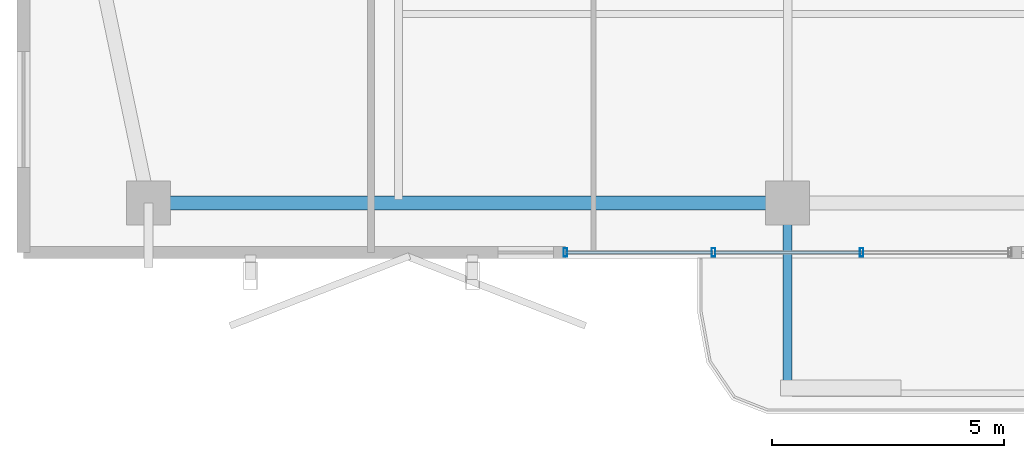
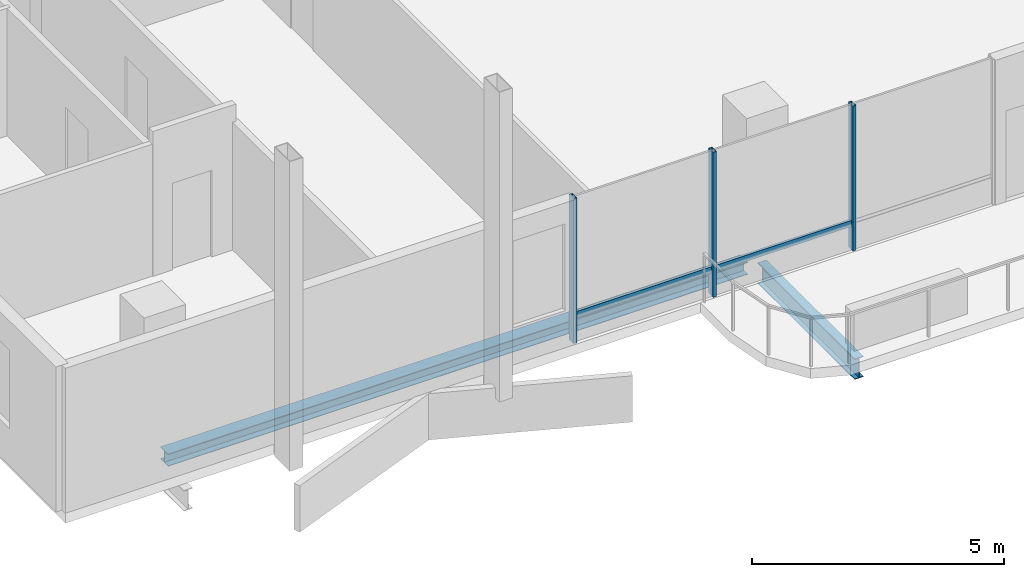
# One storey, part 3 of 20: 5 members, 2 beams, 1 element without a shape of its own.
"""IFC4 building model written with IfcOpenShell, lengths in metres."""

import ifcopenshell
import ifcopenshell.guid

model = None  # the IFC model being written
_history = None  # IfcOwnerHistory: only IFC2X3 demands one
_inside = {}  # id of a spatial element -> (the spatial element, [elements in it])
_under = {}  # id of a project, library or spatial element -> (it, [spatial elements below it])
_declared = {}  # id of a project -> (the project, [libraries it declares])
_typed = {}  # id of a type object -> (the type object, [elements of that type])
_made_of = {}  # id of a material, layer set ... -> (it, [elements and type objects made of it])


def new_model(schema):
    """Start an empty IFC model of exactly this schema.

    Asked for "IFC4X3", IfcOpenShell would pick the latest addendum, in which some entities
    have other attributes; the version numbers below select the first issue.
    IFC2X3 requires an IfcOwnerHistory on every rooted entity: one is made here for all.
    """
    global model, _history
    if schema == "IFC4X3":
        model = ifcopenshell.file(schema_version=(4, 3, 0, 0))
    else:
        model = ifcopenshell.file(schema=schema)
    _inside.clear()
    _under.clear()
    _declared.clear()
    _typed.clear()
    _made_of.clear()
    _history = None
    if model.schema == "IFC2X3":
        org = make("IfcOrganization", Name="unknown")
        user = make(
            "IfcPersonAndOrganization",
            ThePerson=make("IfcPerson", FamilyName="unknown"),
            TheOrganization=org,
        )
        app = make(
            "IfcApplication",
            ApplicationDeveloper=org,
            Version="unknown",
            ApplicationFullName="unknown",
            ApplicationIdentifier="unknown",
        )
        _history = make(
            "IfcOwnerHistory",
            OwningUser=user,
            OwningApplication=app,
            ChangeAction="ADDED",
            CreationDate=0,
        )
    return model


def make(cls, **values):
    """One entity of the class cls with the attributes given. An attribute that is None is left unset."""
    return model.create_entity(
        cls, **{name: value for name, value in values.items() if value is not None}
    )


def rooted(cls, **values):
    """An entity with a GlobalId (a new one), such as an element, a storey or a relation."""
    return make(cls, GlobalId=ifcopenshell.guid.new(), OwnerHistory=_history, **values)


def si_unit(unit_type, name, prefix=None):
    """IfcSIUnit, for example si_unit("LENGTHUNIT", "METRE", prefix="MILLI")."""
    return make("IfcSIUnit", UnitType=unit_type, Prefix=prefix, Name=name)


def assignment(units):
    """IfcUnitAssignment: the units of a project."""
    return None if units is None else make("IfcUnitAssignment", Units=units)


def point(xyz):
    """IfcCartesianPoint."""
    return None if xyz is None else make("IfcCartesianPoint", Coordinates=xyz)


def direction(xyz):
    """IfcDirection."""
    return None if xyz is None else make("IfcDirection", DirectionRatios=xyz)


def frame(location, z_axis=None, x_axis=None):
    """IfcAxis2Placement3D, a coordinate frame: its origin and axes. An axis left out is left unset."""
    return make(
        "IfcAxis2Placement3D",
        Location=point(location),
        Axis=direction(z_axis),
        RefDirection=direction(x_axis),
    )


def frame_2d(location, x_axis=None):
    """IfcAxis2Placement2D, a coordinate frame in the plane: its origin and x axis."""
    return make(
        "IfcAxis2Placement2D", Location=point(location), RefDirection=direction(x_axis)
    )


def origin():
    """The frame at (0, 0, 0) with its axes left unset."""
    return frame((0.0, 0.0, 0.0))


def origin_2d():
    """The frame at (0, 0) in the plane with its x axis left unset."""
    return frame_2d((0.0, 0.0))


def place(relative_to, where):
    """IfcLocalPlacement: puts the frame where relative to a parent placement (None: the world)."""
    return make(
        "IfcLocalPlacement", PlacementRelTo=relative_to, RelativePlacement=where
    )


def context(
    kind, dimensions, precision=None, world=None, true_north=None, identifier=None
):
    """IfcGeometricRepresentationContext, for example the 3D "Model" context."""
    return make(
        "IfcGeometricRepresentationContext",
        ContextIdentifier=identifier,
        ContextType=kind,
        CoordinateSpaceDimension=dimensions,
        Precision=precision,
        WorldCoordinateSystem=world,
        TrueNorth=true_north,
    )


def subcontext(parent, identifier, kind, view, scale=None):
    """IfcGeometricRepresentationSubContext, for example "Body" below "Model"."""
    return make(
        "IfcGeometricRepresentationSubContext",
        ContextIdentifier=identifier,
        ContextType=kind,
        ParentContext=parent,
        TargetScale=scale,
        TargetView=view,
    )


def project(units=None, contexts=None):
    """IfcProject with its units and contexts."""
    return rooted(
        "IfcProject",
        Name="project",
        RepresentationContexts=contexts,
        UnitsInContext=assignment(units),
    )


def spatial(cls, under=None, at=None, **own):
    """A site, building, storey or space (cls), placed at a placement, below another one or the project."""
    s = rooted(cls, ObjectPlacement=at, **own)
    if under is not None:
        _under.setdefault(under.id(), (under, []))[1].append(s)
    return s


def profile(cls, at=None, kind="AREA", **sizes):
    """A parametric profile (cls). Its sizes go by their IFC names, for example OverallWidth=200.0."""
    return make(cls, ProfileType=kind, Position=at, **sizes)


def hollow_rectangle(**sizes):
    """IfcRectangleHollowProfileDef."""
    return profile("IfcRectangleHollowProfileDef", **sizes)


def i_section(**sizes):
    """IfcIShapeProfileDef."""
    return profile("IfcIShapeProfileDef", **sizes)


def extrude(swept, where, along, depth):
    """IfcExtrudedAreaSolid: the profile swept, set in the frame where, extruded along a direction by depth."""
    return make(
        "IfcExtrudedAreaSolid",
        SweptArea=swept,
        Position=where,
        ExtrudedDirection=direction(along),
        Depth=depth,
    )


def shape(context_of_items, identifier, shape_type, items):
    """IfcShapeRepresentation: the items that make up one representation, for example the "Body"."""
    return make(
        "IfcShapeRepresentation",
        ContextOfItems=context_of_items,
        RepresentationIdentifier=identifier,
        RepresentationType=shape_type,
        Items=items,
    )


def material(Name=None, Category=None):
    """IfcMaterial."""
    return make("IfcMaterial", Name=Name, Category=Category)


def layer(
    of_material, thickness, ventilated=None, Name=None, Category=None, Priority=None
):
    """IfcMaterialLayer: one layer of a wall or slab, of a material (None: an air gap)."""
    return make(
        "IfcMaterialLayer",
        Material=of_material,
        LayerThickness=thickness,
        IsVentilated=ventilated,
        Name=Name,
        Category=Category,
        Priority=Priority,
    )


def layer_set(layers, Name=None):
    """IfcMaterialLayerSet."""
    return make("IfcMaterialLayerSet", MaterialLayers=layers, LayerSetName=Name)


def material_profile(
    of_material, cross_section, Name=None, Category=None, Priority=None
):
    """IfcMaterialProfile: a cross section and its material."""
    return make(
        "IfcMaterialProfile",
        Name=Name,
        Material=of_material,
        Profile=cross_section,
        Priority=Priority,
        Category=Category,
    )


def profile_set(profiles, Name=None, composite=None):
    """IfcMaterialProfileSet."""
    return make(
        "IfcMaterialProfileSet",
        Name=Name,
        MaterialProfiles=profiles,
        CompositeProfile=composite,
    )


def made_of(thing, what):
    """Note that an element or type object is made of a material, layer set ...; save() writes the relation."""
    if what is not None:
        _made_of.setdefault(what.id(), (what, []))[1].append(thing)
    return thing


def type_object(cls, material=None, **own):
    """A type object (cls), such as IfcWallType, which elements share."""
    return made_of(rooted(cls, **own), material)


def element(
    cls,
    number,
    at=None,
    inside=None,
    cuts=None,
    type_object=None,
    material=None,
    context=None,
    identifier="Body",
    shape_type=None,
    held_by="IfcProductDefinitionShape",
    body=None,
    shapes=None,
    **own,
):
    """One element of the class cls, such as IfcWall. Its Tag is "e" and its number.

    at: its placement. inside: the storey or other place that contains it. cuts: it is an
    opening in that element (IfcRelVoidsElement). A single representation is given by context,
    identifier, shape_type and body (its items); several are given by shapes. held_by: the class
    of the entity that holds the representations. save() writes the other relations.
    """
    e = rooted(cls, Tag="e%d" % number, ObjectPlacement=at, **own)
    if body is not None:
        shapes = [shape(context, identifier, shape_type, body)]
    if shapes is not None:
        e.Representation = make(held_by, Representations=shapes)
    if inside is not None:
        _inside.setdefault(inside.id(), (inside, []))[1].append(e)
    if cuts is not None:
        rooted(
            "IfcRelVoidsElement", RelatingBuildingElement=cuts, RelatedOpeningElement=e
        )
    if type_object is not None:
        _typed.setdefault(type_object.id(), (type_object, []))[1].append(e)
    return made_of(e, material)


def aggregate(whole, parts):
    """IfcRelAggregates: a whole, such as a stair, and the parts it consists of."""
    return rooted("IfcRelAggregates", RelatingObject=whole, RelatedObjects=parts)


def save(model, path):
    """Write the relations noted so far, then the file.

    IfcRelAggregates (storeys below a building ...), IfcRelContainedInSpatialStructure (elements
    in a storey), IfcRelDefinesByType, IfcRelAssociatesMaterial and IfcRelDeclares: one each for
    every whole, place, type object, material and project.
    """
    for whole, parts in _under.values():
        aggregate(whole, parts)
    for where, things in _inside.values():
        rooted(
            "IfcRelContainedInSpatialStructure",
            RelatedElements=things,
            RelatingStructure=where,
        )
    for kind, things in _typed.values():
        rooted("IfcRelDefinesByType", RelatedObjects=things, RelatingType=kind)
    for what, things in _made_of.values():
        rooted("IfcRelAssociatesMaterial", RelatedObjects=things, RelatingMaterial=what)
    for by, libraries in _declared.values():
        rooted("IfcRelDeclares", RelatingContext=by, RelatedDefinitions=libraries)
    model.write(path)


model = new_model("IFC4")

# Units and contexts
model_context = context("Model", 3, precision=1e-05, world=origin(), true_north=direction((0.0, 1.0)))
body_context = subcontext(model_context, "Body", "Model", "MODEL_VIEW")
ifc_project = project(units=[si_unit("LENGTHUNIT", "METRE"), si_unit("AREAUNIT", "SQUARE_METRE"), si_unit("VOLUMEUNIT", "CUBIC_METRE"), si_unit("PLANEANGLEUNIT", "RADIAN"), si_unit("MASSUNIT", "GRAM", prefix="KILO")], contexts=[model_context])

# Site, building, storey
site_placement = place(None, origin())
site = spatial("IfcSite", under=ifc_project, at=site_placement, CompositionType="ELEMENT")
building_placement = place(site_placement, origin())
building = spatial("IfcBuilding", under=site, at=building_placement, Name="Belovzor Exchange Tower", CompositionType="ELEMENT")
storey_placement = place(building_placement, frame((0.0, 0.0, 299.25)))
storey = spatial("IfcBuildingStorey", under=building, at=storey_placement, Name="L74", CompositionType="ELEMENT", Elevation=299.25)

# Beam
ifc_material_1 = material(Name="Steel S355", Category="steel")
ifc_material_profile_1 = material_profile(ifc_material_1, i_section(OverallWidth=0.199951171875, OverallDepth=0.5, WebThickness=0.01025390625, FlangeThickness=0.01611328125, at=origin_2d()))
ifc_profile_set_1 = profile_set([ifc_material_profile_1], Name="Steel S355")
beam_type_1 = type_object("IfcBeamType", Name="Planted Balcony Cantilever Beam IPE 500", PredefinedType="BEAM", material=ifc_profile_set_1)
beam_1_placement = place(storey_placement, frame((28.800048828125, 6.93896484375, -0.489990234375), z_axis=(0.0, -1.0, 0.0), x_axis=(1.0, 0.0, 0.0)))
element("IfcBeam", 1, at=beam_1_placement, inside=storey, type_object=beam_type_1, Name="BC-500 Planted Balcony Cantilever Beam IPE 500", PredefinedType="BEAM", context=body_context, shape_type="SweptSolid", body=[
    extrude(i_section(OverallWidth=0.199951171875, OverallDepth=0.5, WebThickness=0.01025390625, FlangeThickness=0.01611328125, at=origin_2d()), origin(), (0.0, 0.0, 1.0), 3.849853515625),
])

# Curtain wall, members
ifc_material_2 = material(Name="Anodised Aluminium Framing", Category="aluminium")
ifc_layer = layer(ifc_material_2, 0.179931640625)
ifc_layer_set = layer_set([ifc_layer], Name="Anodised Aluminium Framing")
curtain_wall_type = type_object("IfcCurtainWallType", Name="Recessed Loggia Low-Iron Triple-Glazed Curtain Wall", PredefinedType="NOTDEFINED", material=ifc_layer_set)
curtain_wall_placement = place(storey_placement, origin())
curtain_wall = element("IfcCurtainWall", 2, at=curtain_wall_placement, inside=storey, type_object=curtain_wall_type, Name="CW3 Recessed Loggia Low-Iron Triple-Glazed Curtain Wall L74", PredefinedType="NOTDEFINED")
ifc_material_3 = material(Name="Steel S355", Category="steel")
ifc_material_profile_2 = material_profile(ifc_material_3, hollow_rectangle(XDim=0.074951171875, YDim=0.179931640625, WallThickness=0.0048828125, at=origin_2d()))
ifc_profile_set_2 = profile_set([ifc_material_profile_2], Name="Steel S355")
member_type_1 = type_object("IfcMemberType", Name="Thermally Broken Curtain Wall Mullion 180x75", PredefinedType="MULLION", material=ifc_profile_set_2)
member_1_placement = place(storey_placement, frame((30.39990234375, 6.1298828125, 0.0), z_axis=(0.0, 0.0, 1.0), x_axis=(-1.0, 0.0, 0.0)))
member_1 = element("IfcMember", 3, at=member_1_placement, type_object=member_type_1, Name="CW-M180 Curtain Wall Mullion 2", PredefinedType="MULLION", context=body_context, shape_type="SweptSolid", body=[
    extrude(hollow_rectangle(XDim=0.074951171875, YDim=0.179931640625, WallThickness=0.0048828125, at=origin_2d()), origin(), (0.0, 0.0, 1.0), 3.510009765625),
])
member_2_placement = place(storey_placement, frame((27.199951171875, 6.1298828125, 0.0), z_axis=(0.0, 0.0, 1.0), x_axis=(-1.0, 0.0, 0.0)))
member_2 = element("IfcMember", 4, at=member_2_placement, type_object=member_type_1, Name="CW-M180 Curtain Wall Mullion 3", PredefinedType="MULLION", context=body_context, shape_type="SweptSolid", body=[
    extrude(hollow_rectangle(XDim=0.074951171875, YDim=0.179931640625, WallThickness=0.0048828125, at=origin_2d()), origin(), (0.0, 0.0, 1.0), 3.510009765625),
])
member_3_placement = place(storey_placement, frame((24.0, 6.1298828125, 0.0), z_axis=(0.0, 0.0, 1.0), x_axis=(-1.0, 0.0, 0.0)))
member_3 = element("IfcMember", 5, at=member_3_placement, type_object=member_type_1, Name="CW-M180 Curtain Wall Mullion 4", PredefinedType="MULLION", context=body_context, shape_type="SweptSolid", body=[
    extrude(hollow_rectangle(XDim=0.074951171875, YDim=0.179931640625, WallThickness=0.0048828125, at=origin_2d()), origin(), (0.0, 0.0, 1.0), 3.510009765625),
])
ifc_material_4 = material(Name="Steel S355", Category="steel")
ifc_material_profile_3 = material_profile(ifc_material_4, hollow_rectangle(XDim=0.06005859375, YDim=0.14990234375, WallThickness=0.00390625, at=origin_2d()))
ifc_profile_set_3 = profile_set([ifc_material_profile_3], Name="Steel S355")
member_type_2 = type_object("IfcMemberType", Name="Thermally Broken Curtain Wall Transom 150x60", PredefinedType="USERDEFINED", material=ifc_profile_set_3)
member_4_placement = place(storey_placement, frame((30.39208984375, 6.1298828125, 0.632080078125), z_axis=(-1.0, 0.0, 0.0), x_axis=(0.0, -1.0, 0.0)))
member_4 = element("IfcMember", 6, at=member_4_placement, type_object=member_type_2, Name="CW-T150 Curtain Wall Transom 2", ObjectType="TRANSOM", PredefinedType="USERDEFINED", context=body_context, shape_type="SweptSolid", body=[
    extrude(hollow_rectangle(XDim=0.06005859375, YDim=0.14990234375, WallThickness=0.00390625, at=origin_2d()), origin(), (0.0, 0.0, 1.0), 3.18408203125),
])
member_5_placement = place(storey_placement, frame((27.19189453125, 6.1298828125, 0.632080078125), z_axis=(-1.0, 0.0, 0.0), x_axis=(0.0, -1.0, 0.0)))
member_5 = element("IfcMember", 7, at=member_5_placement, type_object=member_type_2, Name="CW-T150 Curtain Wall Transom 3", ObjectType="TRANSOM", PredefinedType="USERDEFINED", context=body_context, shape_type="SweptSolid", body=[
    extrude(hollow_rectangle(XDim=0.06005859375, YDim=0.14990234375, WallThickness=0.00390625, at=origin_2d()), origin(), (0.0, 0.0, 1.0), 3.183837890625),
])
aggregate(curtain_wall, [member_1, member_2, member_3, member_4, member_5])

# Beam
ifc_material_5 = material(Name="Steel S355", Category="steel")
ifc_material_profile_4 = material_profile(ifc_material_5, i_section(OverallWidth=0.300048828125, OverallDepth=0.300048828125, WebThickness=0.008544921875, FlangeThickness=0.013916015625, at=origin_2d()))
ifc_profile_set_4 = profile_set([ifc_material_profile_4], Name="Steel S355")
beam_type_2 = type_object("IfcBeamType", Name="Zone 6 Primary Girder HEA 300", PredefinedType="BEAM", material=ifc_profile_set_4)
beam_2_placement = place(storey_placement, frame((15.260986328125, 7.199951171875, -0.389892578125), z_axis=(1.0, 0.0, 0.0), x_axis=(0.0, 1.0, 0.0)))
element("IfcBeam", 8, at=beam_2_placement, inside=storey, type_object=beam_type_2, Name="FG-Z6 Zone 6 Primary Girder HEA 300", PredefinedType="BEAM", context=body_context, shape_type="SweptSolid", body=[
    extrude(i_section(OverallWidth=0.300048828125, OverallDepth=0.300048828125, WebThickness=0.008544921875, FlangeThickness=0.013916015625, at=origin_2d()), origin(), (0.0, 0.0, 1.0), 13.278076171875),
])

save(model, "model.ifc")
